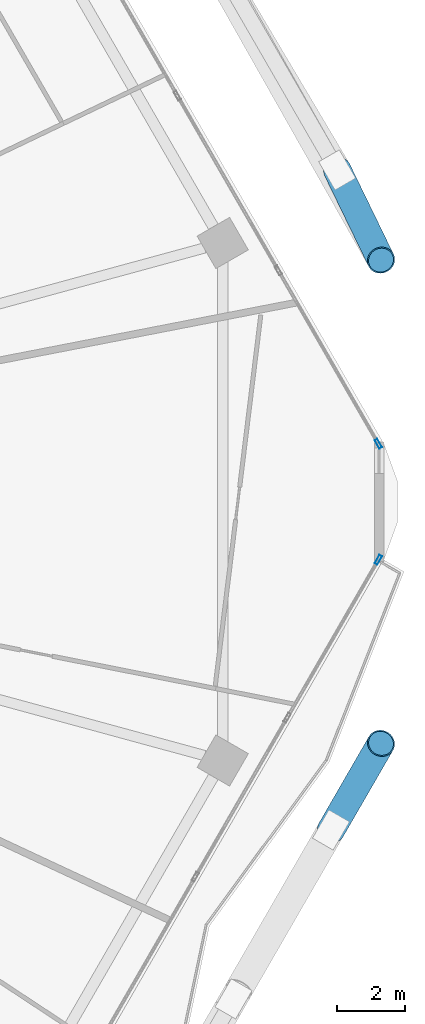
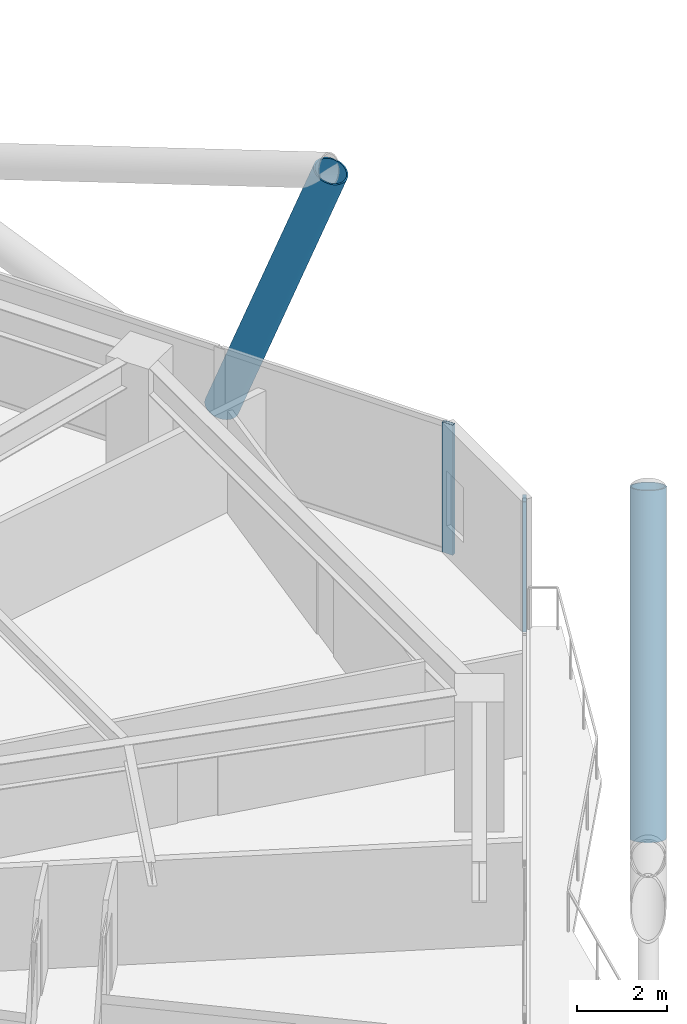
# One storey, part 25 of 34: 4 members, 2 elements without a shape of their own.
"""IFC4 building model written with IfcOpenShell, lengths in metres."""

from ifc_helpers import new_model, si_unit, direction, frame, origin, origin_2d, place, context, subcontext, project, spatial, hollow_rectangle, hollow_circle, extrude, material, material_profile, profile_set, type_object, element, aggregate, save


model = new_model("IFC4")

# Units and contexts
model_context = context("Model", 3, precision=1e-05, world=origin(), true_north=direction((0.0, 1.0)))
body_context = subcontext(model_context, "Body", "Model", "MODEL_VIEW")
ifc_project = project(units=[si_unit("LENGTHUNIT", "METRE"), si_unit("AREAUNIT", "SQUARE_METRE"), si_unit("VOLUMEUNIT", "CUBIC_METRE"), si_unit("PLANEANGLEUNIT", "RADIAN"), si_unit("MASSUNIT", "GRAM", prefix="KILO")], contexts=[model_context])

# Site, building, storey
site_placement = place(None, origin())
site = spatial("IfcSite", under=ifc_project, at=site_placement, CompositionType="ELEMENT")
building_placement = place(site_placement, origin())
building = spatial("IfcBuilding", under=site, at=building_placement, Name="Zuhravey Tower", CompositionType="ELEMENT")
storey_placement = place(building_placement, frame((0.0, 0.0, 130.39990234375)))
storey = spatial("IfcBuildingStorey", under=building, at=storey_placement, Name="L32", CompositionType="ELEMENT", Elevation=130.39990234375)

# Curtain wall, member
ifc_material_1 = material(Name="Thermally broken anodised aluminium", Category="aluminium")
curtain_wall_type = type_object("IfcCurtainWallType", Name="Zone 1-2 Residential Curtain Wall CW3", PredefinedType="NOTDEFINED", material=ifc_material_1)
curtain_wall_1_placement = place(storey_placement, origin())
curtain_wall_1 = element("IfcCurtainWall", 1, at=curtain_wall_1_placement, inside=storey, type_object=curtain_wall_type, Name="L32 CW3 CW-L32-F6-1", PredefinedType="NOTDEFINED")
ifc_material_2 = material(Name="Anodised aluminium", Category="aluminium")
ifc_material_profile_1 = material_profile(ifc_material_2, hollow_rectangle(XDim=0.090087890625, YDim=0.284912109375, WallThickness=0.0048828125, at=origin_2d()), Name="ALU-RHS-90x285x5")
ifc_profile_set_1 = profile_set([ifc_material_profile_1], Name="Anodised aluminium")
member_type_1 = type_object("IfcMemberType", Name="Curtain-Wall Mullion 90x180", PredefinedType="MULLION", material=ifc_profile_set_1)
member_1_placement = place(storey_placement, frame((68.4560546875, 30.298583984375, 0.0), z_axis=(0.0, 0.0, 1.0), x_axis=(0.866025653253, -0.499999567908, 0.0)))
member_1 = element("IfcMember", 2, at=member_1_placement, type_object=member_type_1, Name="CW3 mullion 1", PredefinedType="MULLION", context=body_context, shape_type="SweptSolid", body=[
    extrude(hollow_rectangle(XDim=0.090087890625, YDim=0.284912109375, WallThickness=0.0048828125, at=origin_2d()), origin(), (0.0, 0.0, 1.0), 3.550048828125),
])
aggregate(curtain_wall_1, [member_1])

curtain_wall_2_placement = place(storey_placement, origin())
curtain_wall_2 = element("IfcCurtainWall", 3, at=curtain_wall_2_placement, inside=storey, type_object=curtain_wall_type, Name="L32 CW3 CW-L32-F1-1", PredefinedType="NOTDEFINED")
member_2_placement = place(storey_placement, frame((68.4560546875, 33.701416015625, 0.0), z_axis=(0.0, 0.0, 1.0), x_axis=(0.86602552265, 0.499999794119, 0.0)))
member_2 = element("IfcMember", 4, at=member_2_placement, type_object=member_type_1, Name="CW3 mullion 6", PredefinedType="MULLION", context=body_context, shape_type="SweptSolid", body=[
    extrude(hollow_rectangle(XDim=0.090087890625, YDim=0.284912109375, WallThickness=0.0048828125, at=origin_2d()), origin(), (0.0, 0.0, 1.0), 3.550048828125),
])
aggregate(curtain_wall_2, [member_2])

# Members
ifc_material_3 = material(Name="Steel SM460", Category="steel")
ifc_material_profile_2 = material_profile(ifc_material_3, hollow_circle(Radius=0.406494140625, WallThickness=0.035888671875, at=origin_2d()), Name="CHS-812.8x36")
ifc_profile_set_2 = profile_set([ifc_material_profile_2], Name="Steel SM460")
member_type_2 = type_object("IfcMemberType", Name="Exoskeleton Zone 1 Diagrid CHS813x36", PredefinedType="BRACE", material=ifc_profile_set_2)
member_3_placement = place(storey_placement, frame((67.25146484375, 41.7265625, -0.44189453125), z_axis=(0.158194539703, -0.325515687466, 0.932209217301), x_axis=(0.899413753497, 0.437098272727, 0.0)))
element("IfcMember", 5, at=member_3_placement, inside=storey, type_object=member_type_2, Name="L32 Face 1 Diagrid Brace 1", PredefinedType="BRACE", context=body_context, shape_type="SweptSolid", body=[
    extrude(hollow_circle(Radius=0.406494140625, WallThickness=0.035888671875, at=origin_2d()), origin(), (0.0, 0.0, 1.0), 8.10546875),
])
member_4_placement = place(storey_placement, frame((67.070068359375, 22.378173828125, -0.44189453125), z_axis=(0.180574288521, 0.312728273078, 0.932520216158), x_axis=(-0.866000778371, 0.500042650041, 0.0)))
element("IfcMember", 6, at=member_4_placement, inside=storey, type_object=member_type_2, Name="L32 Face 6 Diagrid Brace 4", PredefinedType="BRACE", context=body_context, shape_type="SweptSolid", body=[
    extrude(hollow_circle(Radius=0.406494140625, WallThickness=0.035888671875, at=origin_2d()), origin(), (0.0, 0.0, 1.0), 8.102783203125),
])

save(model, "model.ifc")
